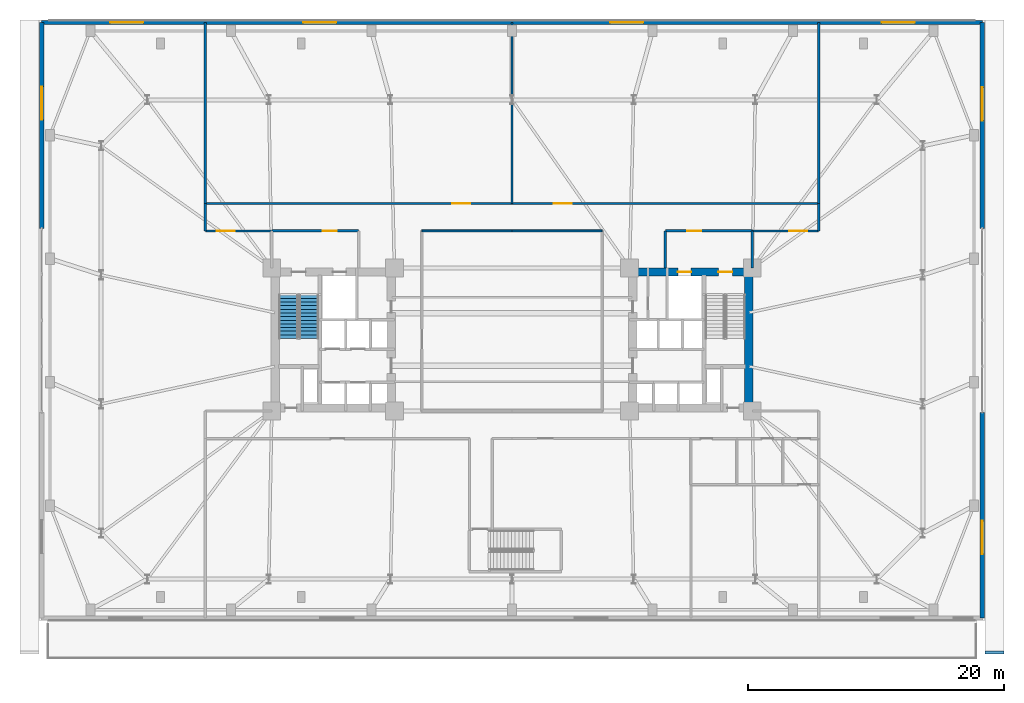
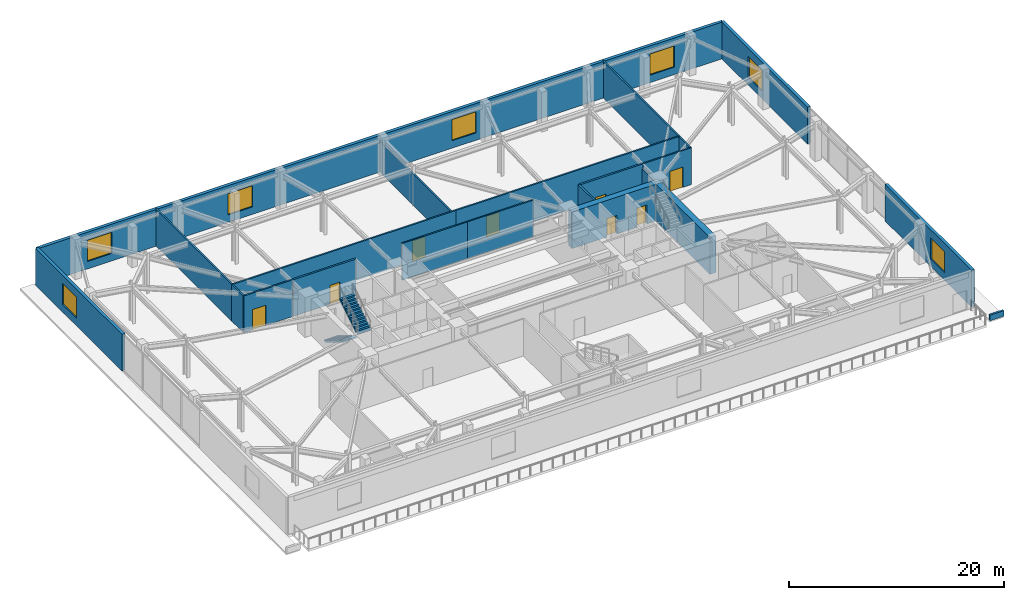
# One storey, part 15 of 21: 22 walls, 8 doors, 7 windows, 2 stair flights, 15 openings, 1 element without a shape of its own.
"""IFC4 building model written with IfcOpenShell, lengths in metres."""

from ifc_helpers import new_model, si_unit, direction, frame, frame_2d, origin, place, context, subcontext, project, spatial, polyline, rectangle, outline, extrude, material, layer, layer_set, type_object, element, fill, aggregate, save


model = new_model("IFC4")

# Units and contexts
model_context = context("Model", 3, precision=1e-05, world=origin(), true_north=direction((0.0, 1.0)))
body_context = subcontext(model_context, "Body", "Model", "MODEL_VIEW")
ifc_project = project(units=[si_unit("LENGTHUNIT", "METRE"), si_unit("AREAUNIT", "SQUARE_METRE"), si_unit("VOLUMEUNIT", "CUBIC_METRE"), si_unit("PLANEANGLEUNIT", "RADIAN"), si_unit("MASSUNIT", "GRAM", prefix="KILO")], contexts=[model_context])

# Site, building, storey
site_placement = place(None, origin())
site = spatial("IfcSite", under=ifc_project, at=site_placement, CompositionType="ELEMENT")
building_placement = place(site_placement, origin())
building = spatial("IfcBuilding", under=site, at=building_placement, Name="Qobustan Lattice House", CompositionType="ELEMENT")
storey_placement = place(building_placement, frame((0.0, 0.0, 13.5)))
storey = spatial("IfcBuildingStorey", under=building, at=storey_placement, Name="L03", CompositionType="ELEMENT", Elevation=13.5)

# Wall, openings, doors
ifc_material_1 = material(Name="Concrete C60/75", Category="concrete")
ifc_layer_1 = layer(ifc_material_1, 0.639892578125)
ifc_layer_set_1 = layer_set([ifc_layer_1], Name="Concrete C60/75")
wall_type_1 = type_object("IfcWallType", Name="WAL-CORE-640", PredefinedType="SHEAR", material=ifc_layer_set_1)
wall_1_placement = place(storey_placement, frame((9.199951171875, 5.280029296875, 0.0), z_axis=(0.0, 0.0, 1.0), x_axis=(1.0, 0.0, 0.0)))
wall_1 = element("IfcWall", 1, at=wall_1_placement, inside=storey, type_object=wall_type_1, Name="L03 split-core shear wall CE-N", PredefinedType="SHEAR", context=body_context, shape_type="SweptSolid", body=[
    extrude(rectangle(XDim=9.60009765625, YDim=0.639892578125, at=frame_2d((4.800048828125, 0.0))), origin(), (0.0, 0.0, 1.0), 4.169921875),
])
opening_1_placement = place(wall_1_placement, frame((6.949951171875, 0.0, 0.0)))
opening_1 = element("IfcOpeningElement", 2, at=opening_1_placement, cuts=wall_1, Name="Opening SD-01", PredefinedType="OPENING", context=body_context, shape_type="SweptSolid", body=[
    extrude(rectangle(XDim=1.10009765625, YDim=2.14990234375, at=frame_2d((0.550048828125, 1.074951171875))), frame((0.0, 0.329833984375, 0.0), z_axis=(0.0, -1.0, 0.0), x_axis=(1.0, 0.0, 0.0)), (0.0, 0.0, 1.0), 0.659912109375),
])
opening_2_placement = place(wall_1_placement, frame((3.77490234375, 0.0, 0.0)))
opening_2 = element("IfcOpeningElement", 3, at=opening_2_placement, cuts=wall_1, Name="Opening LD-01", PredefinedType="OPENING", context=body_context, shape_type="SweptSolid", body=[
    extrude(rectangle(XDim=1.050048828125, YDim=2.10009765625, at=frame_2d((0.52490234375, 1.050048828125))), frame((0.0, 0.329833984375, 0.0), z_axis=(0.0, -1.0, 0.0), x_axis=(1.0, 0.0, 0.0)), (0.0, 0.0, 1.0), 0.659912109375),
])
ifc_material_2 = material(Name="Persian walnut timber and steel frame door", Category="steel")
door_type_1 = type_object("IfcDoorType", Name="DOR-LIFT-LD-1050x2100", OperationType="NOTDEFINED", PredefinedType="DOOR", material=ifc_material_2)
door_1_placement = place(opening_2_placement, origin())
door_1 = element("IfcDoor", 4, at=door_1_placement, inside=storey, type_object=door_type_1, Name="L03 firefighting lift FF-E landing door", OperationType="DOUBLE_DOOR_SLIDING", OverallHeight=2.10009765625, OverallWidth=1.050048828125, PredefinedType="DOOR", context=body_context, shape_type="SweptSolid", body=[
    extrude(rectangle(XDim=1.050048828125, YDim=2.10009765625, at=frame_2d((0.52490234375, 1.050048828125))), frame((0.0, 0.02490234375, 0.0), z_axis=(0.0, -1.0, 0.0), x_axis=(1.0, 0.0, 0.0)), (0.0, 0.0, 1.0), 0.050048828125),
])
fill(opening_2, door_1)
ifc_material_3 = material(Name="Persian walnut timber and steel frame door", Category="steel")
door_type_2 = type_object("IfcDoorType", Name="DOR-STAIR-FD-1100x2150", OperationType="NOTDEFINED", PredefinedType="DOOR", material=ifc_material_3)
door_2_placement = place(opening_1_placement, origin())
door_2 = element("IfcDoor", 5, at=door_2_placement, inside=storey, type_object=door_type_2, Name="L03 exit stair ST-E1 fire door", OperationType="SINGLE_SWING_LEFT", OverallHeight=2.14990234375, OverallWidth=1.10009765625, PredefinedType="DOOR", context=body_context, shape_type="SweptSolid", body=[
    extrude(rectangle(XDim=1.10009765625, YDim=2.14990234375, at=frame_2d((0.550048828125, 1.074951171875))), frame((0.0, 0.02490234375, 0.0), z_axis=(0.0, -1.0, 0.0), x_axis=(1.0, 0.0, 0.0)), (0.0, 0.0, 1.0), 0.050048828125),
])
fill(opening_1, door_2)

# Wall
wall_2_placement = place(storey_placement, frame((18.530029296875, -5.050048828125, 0.0), z_axis=(0.0, 0.0, 1.0), x_axis=(0.0, 1.0, 0.0)))
element("IfcWall", 6, at=wall_2_placement, inside=storey, type_object=wall_type_1, Name="L03 split-core shear wall CE-E", PredefinedType="SHEAR", context=body_context, shape_type="SweptSolid", body=[
    extrude(rectangle(XDim=10.10009765625, YDim=0.639892578125, at=frame_2d((5.050048828125, 0.0))), origin(), (0.0, 0.0, 1.0), 4.169921875),
])

# Wall, opening, window
ifc_material_4 = material(Name="Precast concrete C40/50", Category="concrete")
ifc_layer_2 = layer(ifc_material_4, 0.320068359375)
ifc_layer_set_2 = layer_set([ifc_layer_2], Name="Precast concrete C40/50")
wall_type_2 = type_object("IfcWallType", Name="WAL-EXT-STONE-320", PredefinedType="SOLIDWALL", material=ifc_layer_set_2)
wall_3_placement = place(storey_placement, frame((-36.800048828125, 8.699951171875, 0.0), z_axis=(0.0, 0.0, 1.0), x_axis=(0.0, 1.0, 0.0)))
wall_3 = element("IfcWall", 7, at=wall_3_placement, inside=storey, type_object=wall_type_2, Name="L03 podium stone wall 1B", PredefinedType="SOLIDWALL", context=body_context, shape_type="SweptSolid", body=[
    extrude(rectangle(XDim=16.10009765625, YDim=0.320068359375, at=frame_2d((8.050048828125, 0.0))), origin(), (0.0, 0.0, 1.0), 4.169921875),
])
opening_3_placement = place(wall_3_placement, frame((8.484619140625, 0.0, 0.85009765625)))
opening_3 = element("IfcOpeningElement", 8, at=opening_3_placement, cuts=wall_3, Name="Opening WN-06", PredefinedType="OPENING", context=body_context, shape_type="SweptSolid", body=[
    extrude(rectangle(XDim=2.60009765625, YDim=2.39990234375, at=frame_2d((1.300048828125, 1.199951171875))), frame((0.0, 0.169921875, 0.0), z_axis=(0.0, -1.0, 0.0), x_axis=(1.0, 0.0, 0.0)), (0.0, 0.0, 1.0), 0.340087890625),
])
ifc_material_5 = material(Name="Double-glazed low-E aluminium window", Category="aluminium")
window_type = type_object("IfcWindowType", Name="WIN-POD-2600x2400", PartitioningType="SINGLE_PANEL", PredefinedType="WINDOW", material=ifc_material_5)
window_1_placement = place(opening_3_placement, origin())
window_1 = element("IfcWindow", 9, at=window_1_placement, inside=storey, type_object=window_type, Name="L03 Wellness fitness gymnasium window", OverallHeight=2.39990234375, OverallWidth=2.60009765625, PartitioningType="SINGLE_PANEL", PredefinedType="WINDOW", context=body_context, shape_type="SweptSolid", body=[
    extrude(rectangle(XDim=2.60009765625, YDim=2.39990234375, at=frame_2d((1.300048828125, 1.199951171875))), frame((0.0, 0.030029296875, 0.0), z_axis=(0.0, -1.0, 0.0), x_axis=(1.0, 0.0, 0.0)), (0.0, 0.0, 1.0), 0.06005859375),
])
fill(opening_3, window_1)

# Wall, openings, windows
wall_4_placement = place(storey_placement, frame((-36.800048828125, 24.800048828125, 0.0), z_axis=(0.0, 0.0, 1.0), x_axis=(1.0, 0.0, 0.0)))
wall_4 = element("IfcWall", 10, at=wall_4_placement, inside=storey, type_object=wall_type_2, Name="L03 exterior limestone-clad wall 2", PredefinedType="SOLIDWALL", context=body_context, shape_type="SweptSolid", body=[
    extrude(rectangle(XDim=73.60009765625, YDim=0.320068359375, at=frame_2d((36.800048828125, 0.0))), origin(), (0.0, 0.0, 1.0), 4.169921875),
])
opening_4_placement = place(wall_4_placement, frame((5.34716796875, 0.0, 0.85009765625)))
opening_4 = element("IfcOpeningElement", 11, at=opening_4_placement, cuts=wall_4, Name="Opening WN-06", PredefinedType="OPENING", context=body_context, shape_type="SweptSolid", body=[
    extrude(rectangle(XDim=2.60009765625, YDim=2.39990234375, at=frame_2d((1.300048828125, 1.199951171875))), frame((0.0, 0.169921875, 0.0), z_axis=(0.0, -1.0, 0.0), x_axis=(1.0, 0.0, 0.0)), (0.0, 0.0, 1.0), 0.340087890625),
])
opening_5_placement = place(wall_4_placement, frame((20.447998046875, 0.0, 0.85009765625)))
opening_5 = element("IfcOpeningElement", 12, at=opening_5_placement, cuts=wall_4, Name="Opening WN-06", PredefinedType="OPENING", context=body_context, shape_type="SweptSolid", body=[
    extrude(rectangle(XDim=2.60009765625, YDim=2.39990234375, at=frame_2d((1.300048828125, 1.199951171875))), frame((0.0, 0.169921875, 0.0), z_axis=(0.0, -1.0, 0.0), x_axis=(1.0, 0.0, 0.0)), (0.0, 0.0, 1.0), 0.340087890625),
])
opening_6_placement = place(wall_4_placement, frame((44.47412109375, 0.0, 0.85009765625)))
opening_6 = element("IfcOpeningElement", 13, at=opening_6_placement, cuts=wall_4, Name="Opening WN-06", PredefinedType="OPENING", context=body_context, shape_type="SweptSolid", body=[
    extrude(rectangle(XDim=2.60009765625, YDim=2.39990234375, at=frame_2d((1.300048828125, 1.199951171875))), frame((0.0, 0.169921875, 0.0), z_axis=(0.0, -1.0, 0.0), x_axis=(1.0, 0.0, 0.0)), (0.0, 0.0, 1.0), 0.340087890625),
])
opening_7_placement = place(wall_4_placement, frame((65.73291015625, 0.0, 0.85009765625)))
opening_7 = element("IfcOpeningElement", 14, at=opening_7_placement, cuts=wall_4, Name="Opening WN-06", PredefinedType="OPENING", context=body_context, shape_type="SweptSolid", body=[
    extrude(rectangle(XDim=2.60009765625, YDim=2.39990234375, at=frame_2d((1.300048828125, 1.199951171875))), frame((0.0, 0.169921875, 0.0), z_axis=(0.0, -1.0, 0.0), x_axis=(1.0, 0.0, 0.0)), (0.0, 0.0, 1.0), 0.340087890625),
])
window_2_placement = place(opening_4_placement, origin())
window_2 = element("IfcWindow", 15, at=window_2_placement, inside=storey, type_object=window_type, Name="L03 Wellness fitness gymnasium window", OverallHeight=2.39990234375, OverallWidth=2.60009765625, PartitioningType="SINGLE_PANEL", PredefinedType="WINDOW", context=body_context, shape_type="SweptSolid", body=[
    extrude(rectangle(XDim=2.60009765625, YDim=2.39990234375, at=frame_2d((1.300048828125, 1.199951171875))), frame((0.0, 0.030029296875, 0.0), z_axis=(0.0, -1.0, 0.0), x_axis=(1.0, 0.0, 0.0)), (0.0, 0.0, 1.0), 0.06005859375),
])
fill(opening_4, window_2)
window_3_placement = place(opening_5_placement, origin())
window_3 = element("IfcWindow", 16, at=window_3_placement, inside=storey, type_object=window_type, Name="L03 Movement and yoga studio window", OverallHeight=2.39990234375, OverallWidth=2.60009765625, PartitioningType="SINGLE_PANEL", PredefinedType="WINDOW", context=body_context, shape_type="SweptSolid", body=[
    extrude(rectangle(XDim=2.60009765625, YDim=2.39990234375, at=frame_2d((1.300048828125, 1.199951171875))), frame((0.0, 0.030029296875, 0.0), z_axis=(0.0, -1.0, 0.0), x_axis=(1.0, 0.0, 0.0)), (0.0, 0.0, 1.0), 0.06005859375),
])
fill(opening_5, window_3)
window_4_placement = place(opening_6_placement, origin())
window_4 = element("IfcWindow", 17, at=window_4_placement, inside=storey, type_object=window_type, Name="L03 Music rehearsal hall window", OverallHeight=2.39990234375, OverallWidth=2.60009765625, PartitioningType="SINGLE_PANEL", PredefinedType="WINDOW", context=body_context, shape_type="SweptSolid", body=[
    extrude(rectangle(XDim=2.60009765625, YDim=2.39990234375, at=frame_2d((1.300048828125, 1.199951171875))), frame((0.0, 0.030029296875, 0.0), z_axis=(0.0, -1.0, 0.0), x_axis=(1.0, 0.0, 0.0)), (0.0, 0.0, 1.0), 0.06005859375),
])
fill(opening_6, window_4)
window_5_placement = place(opening_7_placement, origin())
window_5 = element("IfcWindow", 18, at=window_5_placement, inside=storey, type_object=window_type, Name="L03 Games and recreation clubroom window", OverallHeight=2.39990234375, OverallWidth=2.60009765625, PartitioningType="SINGLE_PANEL", PredefinedType="WINDOW", context=body_context, shape_type="SweptSolid", body=[
    extrude(rectangle(XDim=2.60009765625, YDim=2.39990234375, at=frame_2d((1.300048828125, 1.199951171875))), frame((0.0, 0.030029296875, 0.0), z_axis=(0.0, -1.0, 0.0), x_axis=(1.0, 0.0, 0.0)), (0.0, 0.0, 1.0), 0.06005859375),
])
fill(opening_7, window_5)

# Wall, opening, window
wall_5_placement = place(storey_placement, frame((36.800048828125, 24.800048828125, 0.0), z_axis=(0.0, 0.0, 1.0), x_axis=(0.0, -1.0, 0.0)))
wall_5 = element("IfcWall", 19, at=wall_5_placement, inside=storey, type_object=wall_type_2, Name="L03 podium stone wall 3A", PredefinedType="SOLIDWALL", context=body_context, shape_type="SweptSolid", body=[
    extrude(rectangle(XDim=16.10009765625, YDim=0.320068359375, at=frame_2d((8.050048828125, 0.0))), origin(), (0.0, 0.0, 1.0), 4.169921875),
])
opening_8_placement = place(wall_5_placement, frame((5.0673828125, 0.0, 0.85009765625)))
opening_8 = element("IfcOpeningElement", 20, at=opening_8_placement, cuts=wall_5, Name="Opening WN-06", PredefinedType="OPENING", context=body_context, shape_type="SweptSolid", body=[
    extrude(rectangle(XDim=2.60009765625, YDim=2.39990234375, at=frame_2d((1.300048828125, 1.199951171875))), frame((0.0, 0.169921875, 0.0), z_axis=(0.0, -1.0, 0.0), x_axis=(1.0, 0.0, 0.0)), (0.0, 0.0, 1.0), 0.340087890625),
])
window_6_placement = place(opening_8_placement, origin())
window_6 = element("IfcWindow", 21, at=window_6_placement, inside=storey, type_object=window_type, Name="L03 Games and recreation clubroom window", OverallHeight=2.39990234375, OverallWidth=2.60009765625, PartitioningType="SINGLE_PANEL", PredefinedType="WINDOW", context=body_context, shape_type="SweptSolid", body=[
    extrude(rectangle(XDim=2.60009765625, YDim=2.39990234375, at=frame_2d((1.300048828125, 1.199951171875))), frame((0.0, 0.030029296875, 0.0), z_axis=(0.0, -1.0, 0.0), x_axis=(1.0, 0.0, 0.0)), (0.0, 0.0, 1.0), 0.06005859375),
])
fill(opening_8, window_6)

wall_6_placement = place(storey_placement, frame((36.800048828125, -5.699951171875, 0.0), z_axis=(0.0, 0.0, 1.0), x_axis=(0.0, -1.0, 0.0)))
wall_6 = element("IfcWall", 22, at=wall_6_placement, inside=storey, type_object=wall_type_2, Name="L03 podium stone wall 3B", PredefinedType="SOLIDWALL", context=body_context, shape_type="SweptSolid", body=[
    extrude(rectangle(XDim=16.10009765625, YDim=0.320068359375, at=frame_2d((8.050048828125, 0.0))), origin(), (0.0, 0.0, 1.0), 4.169921875),
])
opening_9_placement = place(wall_6_placement, frame((8.484619140625, 0.0, 0.85009765625)))
opening_9 = element("IfcOpeningElement", 23, at=opening_9_placement, cuts=wall_6, Name="Opening WN-06", PredefinedType="OPENING", context=body_context, shape_type="SweptSolid", body=[
    extrude(rectangle(XDim=2.60009765625, YDim=2.39990234375, at=frame_2d((1.300048828125, 1.199951171875))), frame((0.0, 0.169921875, 0.0), z_axis=(0.0, -1.0, 0.0), x_axis=(1.0, 0.0, 0.0)), (0.0, 0.0, 1.0), 0.340087890625),
])
window_7_placement = place(opening_9_placement, origin())
window_7 = element("IfcWindow", 24, at=window_7_placement, inside=storey, type_object=window_type, Name="L03 Games and recreation clubroom window", OverallHeight=2.39990234375, OverallWidth=2.60009765625, PartitioningType="SINGLE_PANEL", PredefinedType="WINDOW", context=body_context, shape_type="SweptSolid", body=[
    extrude(rectangle(XDim=2.60009765625, YDim=2.39990234375, at=frame_2d((1.300048828125, 1.199951171875))), frame((0.0, 0.030029296875, 0.0), z_axis=(0.0, -1.0, 0.0), x_axis=(1.0, 0.0, 0.0)), (0.0, 0.0, 1.0), 0.06005859375),
])
fill(opening_9, window_7)

# Walls
ifc_material_6 = material(Name="Precast concrete C40/50", Category="concrete")
ifc_layer_3 = layer(ifc_material_6, 0.219970703125)
ifc_layer_set_3 = layer_set([ifc_layer_3], Name="Precast concrete C40/50")
wall_type_3 = type_object("IfcWallType", Name="WAL-PARAPET-220", PredefinedType="PARAPET", material=ifc_layer_set_3)
wall_7_placement = place(storey_placement, frame((37.0, -24.5, 0.0), z_axis=(0.0, 0.0, 1.0), x_axis=(1.0, 0.0, 0.0)))
element("IfcWall", 25, at=wall_7_placement, inside=storey, type_object=wall_type_3, Name="L03 maintenance roof parapet 2", PredefinedType="PARAPET", context=body_context, shape_type="SweptSolid", body=[
    extrude(rectangle(XDim=1.5, YDim=0.219970703125, at=frame_2d((0.75, 0.0))), origin(), (0.0, 0.0, 1.0), 0.64990234375),
])
ifc_material_7 = material(Name="Acoustic twin-stud gypsum partition", Category="gypsum")
ifc_layer_4 = layer(ifc_material_7, 0.14990234375)
ifc_layer_set_4 = layer_set([ifc_layer_4], Name="Acoustic twin-stud gypsum partition")
wall_type_4 = type_object("IfcWallType", Name="WAL-PART-150", PredefinedType="PARTITIONING", material=ifc_layer_set_4)
for number, where, z_axis, x_axis, name in (
    (26, (0.0, 8.5, 0.0), (0.0, 0.0, 1.0), (-1.0, 0.0, 0.0), "L03 interior partition 39"),
    (27, (7.050048828125, 8.5, 0.0), (0.0, 0.0, 1.0), (-1.0, 0.0, 0.0), "L03 interior partition 41"),
):
    element("IfcWall", number, at=place(storey_placement, frame(where, z_axis=z_axis, x_axis=x_axis)), inside=storey, type_object=wall_type_4, Name=name, PredefinedType="PARTITIONING", context=body_context, shape_type="SweptSolid", body=[
        extrude(rectangle(XDim=7.050048828125, YDim=0.14990234375, at=frame_2d((3.52490234375, 0.0))), origin(), (0.0, 0.0, 1.0), 4.169921875),
    ])

# Wall, opening, door
ifc_material_8 = material(Name="High-mass acoustic twin-stud partition", Category="gypsum")
ifc_layer_5 = layer(ifc_material_8, 0.1650390625)
ifc_layer_set_5 = layer_set([ifc_layer_5], Name="High-mass acoustic twin-stud partition")
wall_type_5 = type_object("IfcWallType", Name="WAL-PART-165", PredefinedType="PARTITIONING", material=ifc_layer_set_5)
wall_8_placement = place(storey_placement, frame((-18.800048828125, 8.5, 0.0), z_axis=(0.0, 0.0, 1.0), x_axis=(-1.0, 0.0, 0.0)))
wall_8 = element("IfcWall", 28, at=wall_8_placement, inside=storey, type_object=wall_type_5, Name="L03 interior partition 36", PredefinedType="PARTITIONING", context=body_context, shape_type="SweptSolid", body=[
    extrude(rectangle(XDim=5.199951171875, YDim=0.1650390625, at=frame_2d((2.60009765625, 0.0))), origin(), (0.0, 0.0, 1.0), 4.169921875),
])
opening_10_placement = place(wall_8_placement, frame((2.889892578125, 0.0, 0.0)))
opening_10 = element("IfcOpeningElement", 29, at=opening_10_placement, cuts=wall_8, Name="Opening ID-04", PredefinedType="OPENING", context=body_context, shape_type="SweptSolid", body=[
    extrude(rectangle(XDim=1.39990234375, YDim=2.300048828125, at=frame_2d((0.699951171875, 1.14990234375))), frame((0.0, 0.092529296875, 0.0), z_axis=(0.0, -1.0, 0.0), x_axis=(1.0, 0.0, 0.0)), (0.0, 0.0, 1.0), 0.18505859375),
])
ifc_material_9 = material(Name="Persian walnut timber and steel frame door", Category="steel")
door_type_3 = type_object("IfcDoorType", Name="DOR-POD-1400x2300", OperationType="NOTDEFINED", PredefinedType="DOOR", material=ifc_material_9)
door_3_placement = place(opening_10_placement, origin())
door_3 = element("IfcDoor", 30, at=door_3_placement, inside=storey, type_object=door_type_3, Name="L03 North-west podium corridor to Wellness fitness gymnasium door", OperationType="SINGLE_SWING_RIGHT", OverallHeight=2.300048828125, OverallWidth=1.39990234375, PredefinedType="DOOR", context=body_context, shape_type="SweptSolid", body=[
    extrude(rectangle(XDim=1.39990234375, YDim=2.300048828125, at=frame_2d((0.699951171875, 1.14990234375))), frame((0.0, 0.02490234375, 0.0), z_axis=(0.0, -1.0, 0.0), x_axis=(1.0, 0.0, 0.0)), (0.0, 0.0, 1.0), 0.050048828125),
])
fill(opening_10, door_3)

# Wall
wall_9_placement = place(storey_placement, frame((-24.0, 8.5, 0.0), z_axis=(0.0, 0.0, 1.0), x_axis=(0.0, 1.0, 0.0)))
element("IfcWall", 31, at=wall_9_placement, inside=storey, type_object=wall_type_5, Name="L03 interior partition 37", PredefinedType="PARTITIONING", context=body_context, shape_type="SweptSolid", body=[
    extrude(rectangle(XDim=2.14990234375, YDim=0.1650390625, at=frame_2d((1.074951171875, 0.0))), origin(), (0.0, 0.0, 1.0), 4.169921875),
])

# Wall, opening, door
wall_10_placement = place(storey_placement, frame((-24.0, 10.64990234375, 0.0), z_axis=(0.0, 0.0, 1.0), x_axis=(1.0, 0.0, 0.0)))
wall_10 = element("IfcWall", 32, at=wall_10_placement, inside=storey, type_object=wall_type_5, Name="L03 interior partition 38", PredefinedType="PARTITIONING", context=body_context, shape_type="SweptSolid", body=[
    extrude(rectangle(XDim=24.0, YDim=0.1650390625, at=frame_2d((12.0, 0.0))), origin(), (0.0, 0.0, 1.0), 4.169921875),
])
opening_11_placement = place(wall_10_placement, frame((19.340087890625, 0.0, 0.0)))
opening_11 = element("IfcOpeningElement", 33, at=opening_11_placement, cuts=wall_10, Name="Opening ID-04", PredefinedType="OPENING", context=body_context, shape_type="SweptSolid", body=[
    extrude(rectangle(XDim=1.39990234375, YDim=2.300048828125, at=frame_2d((0.699951171875, 1.14990234375))), frame((0.0, 0.092529296875, 0.0), z_axis=(0.0, -1.0, 0.0), x_axis=(1.0, 0.0, 0.0)), (0.0, 0.0, 1.0), 0.18505859375),
])
door_4_placement = place(opening_11_placement, origin())
door_4 = element("IfcDoor", 34, at=door_4_placement, inside=storey, type_object=door_type_3, Name="L03 North-west podium corridor to Movement and yoga studio door", OperationType="SINGLE_SWING_LEFT", OverallHeight=2.300048828125, OverallWidth=1.39990234375, PredefinedType="DOOR", context=body_context, shape_type="SweptSolid", body=[
    extrude(rectangle(XDim=1.39990234375, YDim=2.300048828125, at=frame_2d((0.699951171875, 1.14990234375))), frame((0.0, 0.02490234375, 0.0), z_axis=(0.0, -1.0, 0.0), x_axis=(1.0, 0.0, 0.0)), (0.0, 0.0, 1.0), 0.050048828125),
])
fill(opening_11, door_4)

wall_11_placement = place(storey_placement, frame((0.0, 10.64990234375, 0.0), z_axis=(0.0, 0.0, 1.0), x_axis=(1.0, 0.0, 0.0)))
wall_11 = element("IfcWall", 35, at=wall_11_placement, inside=storey, type_object=wall_type_5, Name="L03 interior partition 40", PredefinedType="PARTITIONING", context=body_context, shape_type="SweptSolid", body=[
    extrude(rectangle(XDim=24.0, YDim=0.1650390625, at=frame_2d((12.0, 0.0))), origin(), (0.0, 0.0, 1.0), 4.169921875),
])
opening_12_placement = place(wall_11_placement, frame((3.260009765625, 0.0, 0.0)))
opening_12 = element("IfcOpeningElement", 36, at=opening_12_placement, cuts=wall_11, Name="Opening ID-04", PredefinedType="OPENING", context=body_context, shape_type="SweptSolid", body=[
    extrude(rectangle(XDim=1.39990234375, YDim=2.300048828125, at=frame_2d((0.699951171875, 1.14990234375))), frame((0.0, 0.092529296875, 0.0), z_axis=(0.0, -1.0, 0.0), x_axis=(1.0, 0.0, 0.0)), (0.0, 0.0, 1.0), 0.18505859375),
])
door_5_placement = place(opening_12_placement, origin())
door_5 = element("IfcDoor", 37, at=door_5_placement, inside=storey, type_object=door_type_3, Name="L03 North-east podium corridor to Music rehearsal hall door", OperationType="SINGLE_SWING_RIGHT", OverallHeight=2.300048828125, OverallWidth=1.39990234375, PredefinedType="DOOR", context=body_context, shape_type="SweptSolid", body=[
    extrude(rectangle(XDim=1.39990234375, YDim=2.300048828125, at=frame_2d((0.699951171875, 1.14990234375))), frame((0.0, 0.02490234375, 0.0), z_axis=(0.0, -1.0, 0.0), x_axis=(1.0, 0.0, 0.0)), (0.0, 0.0, 1.0), 0.050048828125),
])
fill(opening_12, door_5)

wall_12_placement = place(storey_placement, frame((24.0, 8.5, 0.0), z_axis=(0.0, 0.0, 1.0), x_axis=(-1.0, 0.0, 0.0)))
wall_12 = element("IfcWall", 38, at=wall_12_placement, inside=storey, type_object=wall_type_5, Name="L03 interior partition 42", PredefinedType="PARTITIONING", context=body_context, shape_type="SweptSolid", body=[
    extrude(rectangle(XDim=5.199951171875, YDim=0.1650390625, at=frame_2d((2.60009765625, 0.0))), origin(), (0.0, 0.0, 1.0), 4.169921875),
])
opening_13_placement = place(wall_12_placement, frame((0.909912109375, 0.0, 0.0)))
opening_13 = element("IfcOpeningElement", 39, at=opening_13_placement, cuts=wall_12, Name="Opening ID-04", PredefinedType="OPENING", context=body_context, shape_type="SweptSolid", body=[
    extrude(rectangle(XDim=1.39990234375, YDim=2.300048828125, at=frame_2d((0.699951171875, 1.14990234375))), frame((0.0, 0.092529296875, 0.0), z_axis=(0.0, -1.0, 0.0), x_axis=(1.0, 0.0, 0.0)), (0.0, 0.0, 1.0), 0.18505859375),
])
door_6_placement = place(opening_13_placement, origin())
door_6 = element("IfcDoor", 40, at=door_6_placement, inside=storey, type_object=door_type_3, Name="L03 North-east podium corridor to Games and recreation clubroom door", OperationType="SINGLE_SWING_LEFT", OverallHeight=2.300048828125, OverallWidth=1.39990234375, PredefinedType="DOOR", context=body_context, shape_type="SweptSolid", body=[
    extrude(rectangle(XDim=1.39990234375, YDim=2.300048828125, at=frame_2d((0.699951171875, 1.14990234375))), frame((0.0, 0.02490234375, 0.0), z_axis=(0.0, -1.0, 0.0), x_axis=(1.0, 0.0, 0.0)), (0.0, 0.0, 1.0), 0.050048828125),
])
fill(opening_13, door_6)

# Walls
wall_13_placement = place(storey_placement, frame((24.0, 10.64990234375, 0.0), z_axis=(0.0, 0.0, 1.0), x_axis=(0.0, -1.0, 0.0)))
element("IfcWall", 41, at=wall_13_placement, inside=storey, type_object=wall_type_5, Name="L03 interior partition 43", PredefinedType="PARTITIONING", context=body_context, shape_type="SweptSolid", body=[
    extrude(rectangle(XDim=2.14990234375, YDim=0.1650390625, at=frame_2d((1.074951171875, 0.0))), origin(), (0.0, 0.0, 1.0), 4.169921875),
])
wall_14_placement = place(storey_placement, frame((-24.0, 24.800048828125, 0.0), z_axis=(0.0, 0.0, 1.0), x_axis=(0.0, -1.0, 0.0)))
element("IfcWall", 42, at=wall_14_placement, inside=storey, type_object=wall_type_5, Name="L03 interior partition 70", PredefinedType="PARTITIONING", context=body_context, shape_type="SweptSolid", body=[
    extrude(rectangle(XDim=14.150146484375, YDim=0.1650390625, at=frame_2d((7.0751953125, 0.0))), origin(), (0.0, 0.0, 1.0), 4.169921875),
])
wall_15_placement = place(storey_placement, frame((0.0, 24.800048828125, 0.0), z_axis=(0.0, 0.0, 1.0), x_axis=(0.0, -1.0, 0.0)))
element("IfcWall", 43, at=wall_15_placement, inside=storey, type_object=wall_type_5, Name="L03 interior partition 71", PredefinedType="PARTITIONING", context=body_context, shape_type="SweptSolid", body=[
    extrude(rectangle(XDim=14.150146484375, YDim=0.1650390625, at=frame_2d((7.0751953125, 0.0))), origin(), (0.0, 0.0, 1.0), 3.554931640625),
])
wall_16_placement = place(storey_placement, frame((24.0, 24.800048828125, 0.0), z_axis=(0.0, 0.0, 1.0), x_axis=(0.0, -1.0, 0.0)))
element("IfcWall", 44, at=wall_16_placement, inside=storey, type_object=wall_type_5, Name="L03 interior partition 72", PredefinedType="PARTITIONING", context=body_context, shape_type="SweptSolid", body=[
    extrude(rectangle(XDim=14.150146484375, YDim=0.1650390625, at=frame_2d((7.0751953125, 0.0))), origin(), (0.0, 0.0, 1.0), 4.169921875),
])

# Wall, opening, door
ifc_material_10 = material(Name="Two-hour gypsum fireboard acoustic partition", Category="gypsum")
ifc_layer_6 = layer(ifc_material_10, 0.199951171875)
ifc_layer_set_6 = layer_set([ifc_layer_6], Name="Two-hour gypsum fireboard acoustic partition")
wall_type_6 = type_object("IfcWallType", Name="WAL-PROT-200", PredefinedType="PARTITIONING", material=ifc_layer_set_6)
wall_17_placement = place(storey_placement, frame((-12.0, 8.5, 0.0), z_axis=(0.0, 0.0, 1.0), x_axis=(-1.0, 0.0, 0.0)))
wall_17 = element("IfcWall", 45, at=wall_17_placement, inside=storey, type_object=wall_type_6, Name="L03 interior partition 3", PredefinedType="PARTITIONING", context=body_context, shape_type="SweptSolid", body=[
    extrude(rectangle(XDim=6.800048828125, YDim=0.199951171875, at=frame_2d((3.39990234375, 0.0))), origin(), (0.0, 0.0, 1.0), 4.169921875),
])
opening_14_placement = place(wall_17_placement, frame((1.715087890625, 0.0, 0.0)))
opening_14 = element("IfcOpeningElement", 46, at=opening_14_placement, cuts=wall_17, Name="Opening SD-01", PredefinedType="OPENING", context=body_context, shape_type="SweptSolid", body=[
    extrude(rectangle(XDim=1.10009765625, YDim=2.14990234375, at=frame_2d((0.550048828125, 1.074951171875))), frame((0.0, 0.10986328125, 0.0), z_axis=(0.0, -1.0, 0.0), x_axis=(1.0, 0.0, 0.0)), (0.0, 0.0, 1.0), 0.219970703125),
])
door_7_placement = place(opening_14_placement, origin())
door_7 = element("IfcDoor", 47, at=door_7_placement, inside=storey, type_object=door_type_2, Name="L03 West firefighting lift lobby to North-west podium corridor door", OperationType="SINGLE_SWING_LEFT", OverallHeight=2.14990234375, OverallWidth=1.10009765625, PredefinedType="DOOR", context=body_context, shape_type="SweptSolid", body=[
    extrude(rectangle(XDim=1.10009765625, YDim=2.14990234375, at=frame_2d((0.550048828125, 1.074951171875))), frame((0.0, 0.02490234375, 0.0), z_axis=(0.0, -1.0, 0.0), x_axis=(1.0, 0.0, 0.0)), (0.0, 0.0, 1.0), 0.050048828125),
])
fill(opening_14, door_7)

wall_18_placement = place(storey_placement, frame((18.800048828125, 8.5, 0.0), z_axis=(0.0, 0.0, 1.0), x_axis=(-1.0, 0.0, 0.0)))
wall_18 = element("IfcWall", 48, at=wall_18_placement, inside=storey, type_object=wall_type_6, Name="L03 interior partition 20", PredefinedType="PARTITIONING", context=body_context, shape_type="SweptSolid", body=[
    extrude(rectangle(XDim=6.800048828125, YDim=0.199951171875, at=frame_2d((3.39990234375, 0.0))), origin(), (0.0, 0.0, 1.0), 4.169921875),
])
opening_15_placement = place(wall_18_placement, frame((3.985107421875, 0.0, 0.0)))
opening_15 = element("IfcOpeningElement", 49, at=opening_15_placement, cuts=wall_18, Name="Opening SD-01", PredefinedType="OPENING", context=body_context, shape_type="SweptSolid", body=[
    extrude(rectangle(XDim=1.10009765625, YDim=2.14990234375, at=frame_2d((0.550048828125, 1.074951171875))), frame((0.0, 0.10986328125, 0.0), z_axis=(0.0, -1.0, 0.0), x_axis=(1.0, 0.0, 0.0)), (0.0, 0.0, 1.0), 0.219970703125),
])
door_8_placement = place(opening_15_placement, origin())
door_8 = element("IfcDoor", 50, at=door_8_placement, inside=storey, type_object=door_type_2, Name="L03 East firefighting lift lobby to North-east podium corridor door", OperationType="SINGLE_SWING_RIGHT", OverallHeight=2.14990234375, OverallWidth=1.10009765625, PredefinedType="DOOR", context=body_context, shape_type="SweptSolid", body=[
    extrude(rectangle(XDim=1.10009765625, YDim=2.14990234375, at=frame_2d((0.550048828125, 1.074951171875))), frame((0.0, 0.02490234375, 0.0), z_axis=(0.0, -1.0, 0.0), x_axis=(1.0, 0.0, 0.0)), (0.0, 0.0, 1.0), 0.050048828125),
])
fill(opening_15, door_8)

# Walls
wall_19_placement = place(storey_placement, frame((12.0, 8.5, 0.0), z_axis=(0.0, 0.0, 1.0), x_axis=(0.0, -1.0, 0.0)))
element("IfcWall", 51, at=wall_19_placement, inside=storey, type_object=wall_type_6, Name="L03 interior partition 21", PredefinedType="PARTITIONING", context=body_context, shape_type="SweptSolid", body=[
    extrude(rectangle(XDim=2.89990234375, YDim=0.199951171875, at=frame_2d((1.449951171875, 0.0))), origin(), (0.0, 0.0, 1.0), 4.169921875),
])
wall_20_placement = place(storey_placement, frame((18.800048828125, 5.60009765625, 0.0), z_axis=(0.0, 0.0, 1.0), x_axis=(0.0, 1.0, 0.0)))
element("IfcWall", 52, at=wall_20_placement, inside=storey, type_object=wall_type_6, Name="L03 interior partition 22", PredefinedType="PARTITIONING", context=body_context, shape_type="SweptSolid", body=[
    extrude(rectangle(XDim=2.89990234375, YDim=0.199951171875, at=frame_2d((1.449951171875, 0.0))), origin(), (0.0, 0.0, 1.0), 3.655029296875),
])

# Stair, stair flights
ifc_material_11 = material(Name="Concrete C40/50", Category="concrete")
stair_type = type_object("IfcStairType", Name="STR-CORE-DOGLEG", PredefinedType="HALF_TURN_STAIR", material=ifc_material_11)
stair_placement = place(storey_placement, origin())
stair = element("IfcStair", 53, at=stair_placement, inside=storey, type_object=stair_type, Name="L03 West protected exit stair ST-W1", PredefinedType="HALF_TURN_STAIR")
ifc_material_12 = material(Name="Concrete C40/50", Category="concrete")
stair_flight_type = type_object("IfcStairFlightType", Name="SFL-RC-1500", PredefinedType="STRAIGHT", material=ifc_material_12)
stair_flight_1_placement = place(storey_placement, frame((-17.5, 3.5, 0.0), z_axis=(0.0, 0.0, 1.0), x_axis=(0.0, -1.0, 0.0)))
stair_flight_1 = element("IfcStairFlight", 54, at=stair_flight_1_placement, type_object=stair_flight_type, Name="ST-W1 flight 1", NumberOfRisers=13, NumberOfTreads=12, PredefinedType="STRAIGHT", RiserHeight=0.173076923, TreadLength=0.285, context=body_context, shape_type="SweptSolid", body=[
    extrude(outline(polyline([(0.0, 0.0), (0.0, 0.173095703125), (0.284912109375, 0.173095703125), (0.284912109375, 0.34619140625), (0.570068359375, 0.34619140625), (0.570068359375, 0.519287109375), (0.85498046875, 0.519287109375), (0.85498046875, 0.6923828125), (1.139892578125, 0.6923828125), (1.139892578125, 0.865478515625), (1.425048828125, 0.865478515625), (1.425048828125, 1.03857421875), (1.7099609375, 1.03857421875), (1.7099609375, 1.21142578125), (1.9951171875, 1.21142578125), (1.9951171875, 1.384521484375), (2.280029296875, 1.384521484375), (2.280029296875, 1.5576171875), (2.56494140625, 1.5576171875), (2.56494140625, 1.730712890625), (2.85009765625, 1.730712890625), (2.85009765625, 1.90380859375), (3.135009765625, 1.90380859375), (3.135009765625, 2.076904296875), (3.419921875, 2.076904296875), (3.419921875, 2.25), (3.419921875, 1.901611328125), (0.288818359375, 0.0), (0.0, 0.0)])), frame((0.0, 0.75, 0.0), z_axis=(0.0, -1.0, 0.0), x_axis=(1.0, 0.0, 0.0)), (0.0, 0.0, 1.0), 1.5),
])
stair_flight_2_placement = place(storey_placement, frame((-15.8798828125, 0.080078125, 2.25), z_axis=(0.0, 0.0, 1.0), x_axis=(0.0, 1.0, 0.0)))
stair_flight_2 = element("IfcStairFlight", 55, at=stair_flight_2_placement, type_object=stair_flight_type, Name="ST-W1 flight 2", NumberOfRisers=13, NumberOfTreads=12, PredefinedType="STRAIGHT", RiserHeight=0.173076923, TreadLength=0.285, context=body_context, shape_type="SweptSolid", body=[
    extrude(outline(polyline([(0.0, 0.0), (0.0, 0.173095703125), (0.284912109375, 0.173095703125), (0.284912109375, 0.34619140625), (0.570068359375, 0.34619140625), (0.570068359375, 0.519287109375), (0.85498046875, 0.519287109375), (0.85498046875, 0.6923828125), (1.139892578125, 0.6923828125), (1.139892578125, 0.865478515625), (1.425048828125, 0.865478515625), (1.425048828125, 1.03857421875), (1.7099609375, 1.03857421875), (1.7099609375, 1.21142578125), (1.9951171875, 1.21142578125), (1.9951171875, 1.384521484375), (2.280029296875, 1.384521484375), (2.280029296875, 1.5576171875), (2.56494140625, 1.5576171875), (2.56494140625, 1.730712890625), (2.85009765625, 1.730712890625), (2.85009765625, 1.90380859375), (3.135009765625, 1.90380859375), (3.135009765625, 2.076904296875), (3.419921875, 2.076904296875), (3.419921875, 2.25), (3.419921875, 1.901611328125), (0.288818359375, 0.0), (0.0, 0.0)])), frame((0.0, 0.75, 0.0), z_axis=(0.0, -1.0, 0.0), x_axis=(1.0, 0.0, 0.0)), (0.0, 0.0, 1.0), 1.5),
])
aggregate(stair, [stair_flight_1, stair_flight_2])

save(model, "model.ifc")
